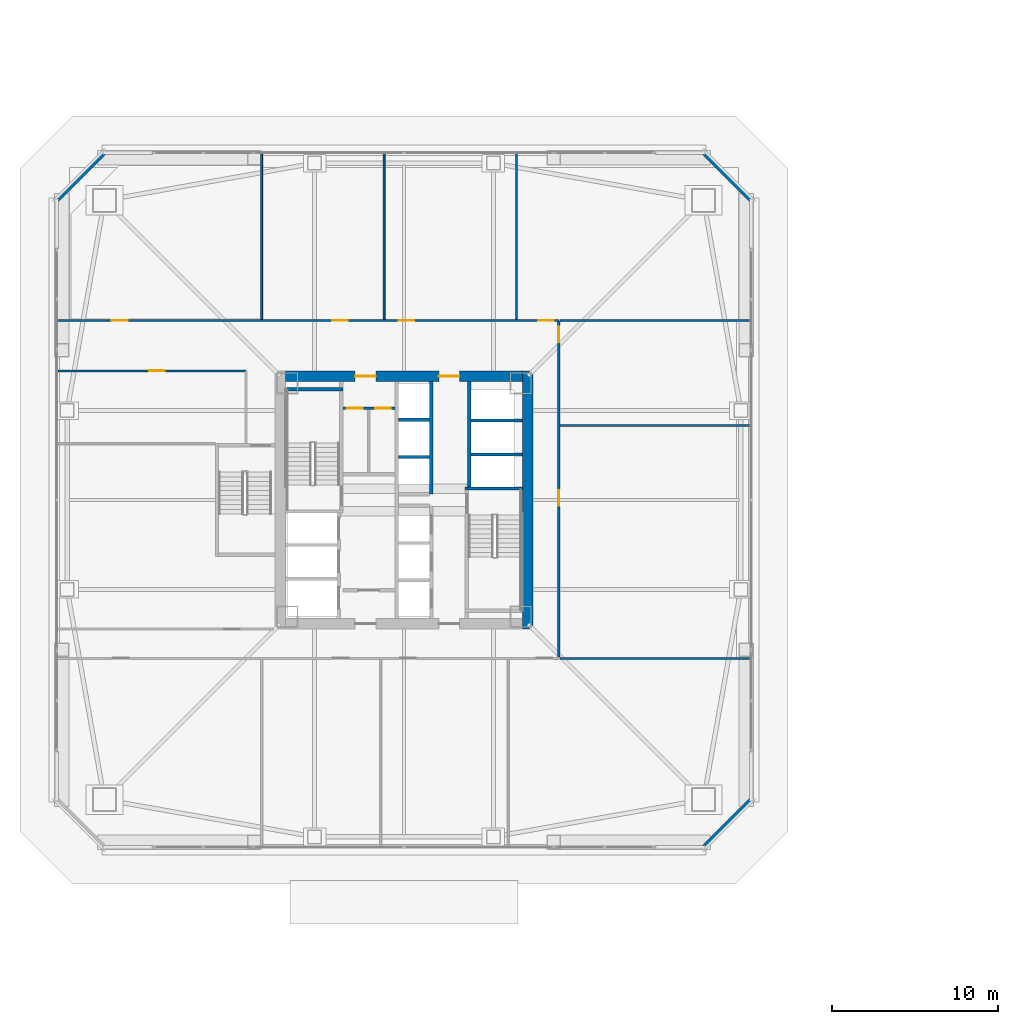
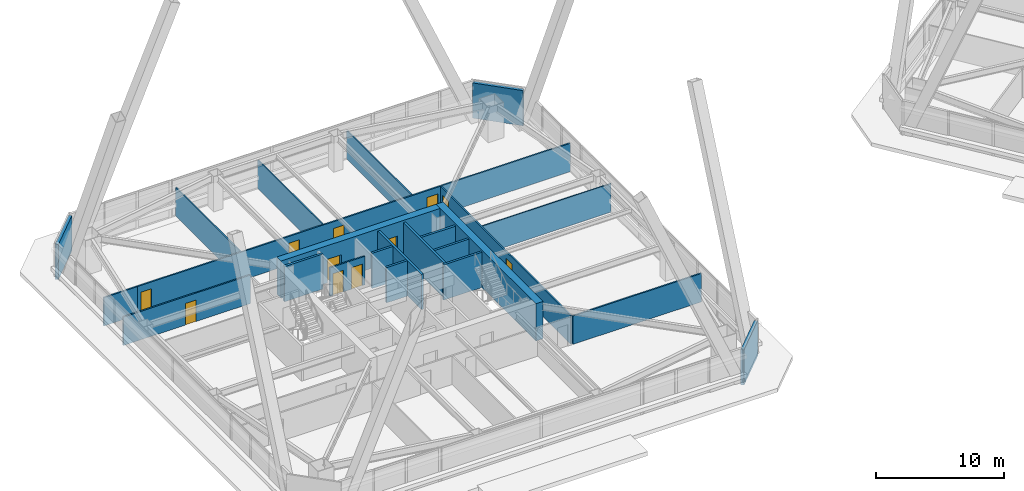
# One storey, part 57 of 67: 24 walls, 11 doors, 11 openings.
"""IFC4 building model written with IfcOpenShell, lengths in metres."""

from ifc_helpers import new_model, si_unit, direction, frame, frame_2d, origin, place, context, subcontext, project, spatial, rectangle, extrude, material, layer, layer_set, type_object, element, fill, save


model = new_model("IFC4")

# Units and contexts
model_context = context("Model", 3, precision=1e-05, world=origin(), true_north=direction((0.0, 1.0)))
body_context = subcontext(model_context, "Body", "Model", "MODEL_VIEW")
ifc_project = project(units=[si_unit("LENGTHUNIT", "METRE"), si_unit("AREAUNIT", "SQUARE_METRE"), si_unit("VOLUMEUNIT", "CUBIC_METRE"), si_unit("PLANEANGLEUNIT", "RADIAN"), si_unit("MASSUNIT", "GRAM", prefix="KILO")], contexts=[model_context])

# Site, building, storey
site_placement = place(None, origin())
site = spatial("IfcSite", under=ifc_project, at=site_placement, CompositionType="ELEMENT")
building_placement = place(site_placement, origin())
building = spatial("IfcBuilding", under=site, at=building_placement, Name="Tashvorn Skyway Center", CompositionType="ELEMENT")
storey_placement = place(building_placement, frame((0.0, 0.0, 67.199951171875)))
storey = spatial("IfcBuildingStorey", under=building, at=storey_placement, Name="L17", CompositionType="ELEMENT", Elevation=67.199951171875)

# Wall
ifc_material_1 = material(Name="Concrete C60/75", Category="concrete")
ifc_layer_1 = layer(ifc_material_1, 0.64990234375)
ifc_layer_set_1 = layer_set([ifc_layer_1], Name="Concrete C60/75")
wall_type_1 = type_object("IfcWallType", Name="WALL-CORE-650", PredefinedType="SHEAR", material=ifc_layer_set_1)
wall_1_placement = place(storey_placement, frame((49.47509765625, 39.800048828125, 0.0), z_axis=(0.0, 0.0, 1.0), x_axis=(0.0, -1.0, 0.0)))
element("IfcWall", 1, at=wall_1_placement, inside=storey, type_object=wall_type_1, Name="Tower 1 L17 East Core Shear Wall", PredefinedType="SHEAR", context=body_context, shape_type="SweptSolid", body=[
    extrude(rectangle(XDim=15.60009765625, YDim=0.64990234375, at=frame_2d((7.800048828125, 0.0))), origin(), (0.0, 0.0, 1.0), 3.550048828125),
])

# Wall, openings, doors
wall_2_placement = place(storey_placement, frame((34.85009765625, 39.47509765625, 0.0), z_axis=(0.0, 0.0, 1.0), x_axis=(1.0, 0.0, 0.0)))
wall_2 = element("IfcWall", 2, at=wall_2_placement, inside=storey, type_object=wall_type_1, Name="Tower 1 L17 North Core Shear Wall", PredefinedType="SHEAR", context=body_context, shape_type="SweptSolid", body=[
    extrude(rectangle(XDim=14.2998046875, YDim=0.64990234375, at=frame_2d((7.14990234375, 0.0))), origin(), (0.0, 0.0, 1.0), 3.550048828125),
])
opening_1_placement = place(wall_2_placement, frame((4.199951171875, 0.0, 0.0)))
opening_1 = element("IfcOpeningElement", 3, at=opening_1_placement, cuts=wall_2, Name="Opening D-FFL-1250", PredefinedType="OPENING", context=body_context, shape_type="SweptSolid", body=[
    extrude(rectangle(XDim=1.25, YDim=2.25, at=frame_2d((0.625, 1.125))), frame((0.0, 0.3349609375, 0.0), z_axis=(0.0, -1.0, 0.0), x_axis=(1.0, 0.0, 0.0)), (0.0, 0.0, 1.0), 0.669921875),
])
opening_2_placement = place(wall_2_placement, frame((9.25, 0.0, 0.0)))
opening_2 = element("IfcOpeningElement", 4, at=opening_2_placement, cuts=wall_2, Name="Opening D-FFL-1250", PredefinedType="OPENING", context=body_context, shape_type="SweptSolid", body=[
    extrude(rectangle(XDim=1.25, YDim=2.25, at=frame_2d((0.625, 1.125))), frame((0.0, 0.3349609375, 0.0), z_axis=(0.0, -1.0, 0.0), x_axis=(1.0, 0.0, 0.0)), (0.0, 0.0, 1.0), 0.669921875),
])
ifc_material_2 = material(Name="Hollow galvanized steel fire door assembly", Category="steel")
door_type_1 = type_object("IfcDoorType", Name="DOOR-FFL-1250", OperationType="NOTDEFINED", PredefinedType="DOOR", material=ifc_material_2)
door_1_placement = place(opening_1_placement, origin())
door_1 = element("IfcDoor", 5, at=door_1_placement, inside=storey, type_object=door_type_1, Name="Tower 1 L17 Core North Service Lobby Door", OperationType="SINGLE_SWING_LEFT", OverallHeight=2.25, OverallWidth=1.25, PredefinedType="DOOR", context=body_context, shape_type="SweptSolid", body=[
    extrude(rectangle(XDim=1.25, YDim=2.25, at=frame_2d((0.625, 1.125))), frame((0.0, 0.02490234375, 0.0), z_axis=(0.0, -1.0, 0.0), x_axis=(1.0, 0.0, 0.0)), (0.0, 0.0, 1.0), 0.050048828125),
])
fill(opening_1, door_1)
door_2_placement = place(opening_2_placement, origin())
door_2 = element("IfcDoor", 6, at=door_2_placement, inside=storey, type_object=door_type_1, Name="Tower 1 L17 Core North Lift Lobby Door", OperationType="SINGLE_SWING_RIGHT", OverallHeight=2.25, OverallWidth=1.25, PredefinedType="DOOR", context=body_context, shape_type="SweptSolid", body=[
    extrude(rectangle(XDim=1.25, YDim=2.25, at=frame_2d((0.625, 1.125))), frame((0.0, 0.02490234375, 0.0), z_axis=(0.0, -1.0, 0.0), x_axis=(1.0, 0.0, 0.0)), (0.0, 0.0, 1.0), 0.050048828125),
])
fill(opening_2, door_2)

# Walls
ifc_material_3 = material(Name="Precast concrete C40/50", Category="concrete")
ifc_layer_2 = layer(ifc_material_3, 0.280029296875)
ifc_layer_set_2 = layer_set([ifc_layer_2], Name="Precast concrete C40/50")
wall_type_2 = type_object("IfcWallType", Name="WALL-EXT-280", PredefinedType="SOLIDWALL", material=ifc_layer_set_2)
for number, where, z_axis, x_axis, name in (
    (7, (21.0, 50.10009765625, 0.0), (0.0, 0.0, 1.0), (0.707106781187, 0.707106781187, 0.0), "Tower 1 L17 NW Precast Chamfer Wall"),
    (8, (60.10009765625, 53.0, 0.0), (0.0, 0.0, 1.0), (0.707106781187, -0.707106781187, 0.0), "Tower 1 L17 NE Precast Chamfer Wall"),
    (9, (63.0, 13.89990234375, 0.0), (0.0, 0.0, 1.0), (-0.707106781187, -0.707106781187, 0.0), "Tower 1 L17 SE Precast Chamfer Wall"),
):
    element("IfcWall", number, at=place(storey_placement, frame(where, z_axis=z_axis, x_axis=x_axis)), inside=storey, type_object=wall_type_2, Name=name, PredefinedType="SOLIDWALL", context=body_context, shape_type="SweptSolid", body=[
        extrude(rectangle(XDim=4.10107421875, YDim=0.280029296875, at=frame_2d((2.050537109375, 0.0))), origin(), (0.0, 0.0, 1.0), 3.35009765625),
    ])
ifc_material_4 = material(Name="Gypsum board on cold-formed steel stud framing", Category="steel")
ifc_layer_3 = layer(ifc_material_4, 0.110107421875)
ifc_layer_set_3 = layer_set([ifc_layer_3], Name="Gypsum board on cold-formed steel stud framing")
wall_type_3 = type_object("IfcWallType", Name="WALL-PART-110", PredefinedType="PARTITIONING", material=ifc_layer_set_3)
for number, where, z_axis, x_axis, name in (
    (10, (33.39990234375, 42.929931640625, 0.0), (0.0, 0.0, 1.0), (0.0, 1.0, 0.0), "Tower 1 L17 North Suite Partition 1"),
    (11, (40.800048828125, 42.929931640625, 0.0), (0.0, 0.0, 1.0), (0.0, 1.0, 0.0), "Tower 1 L17 North Suite Partition 2"),
    (12, (48.800048828125, 42.929931640625, 0.0), (0.0, 0.0, 1.0), (0.0, 1.0, 0.0), "Tower 1 L17 North Suite Partition 3"),
):
    element("IfcWall", number, at=place(storey_placement, frame(where, z_axis=z_axis, x_axis=x_axis)), inside=storey, type_object=wall_type_3, Name=name, PredefinedType="PARTITIONING", context=body_context, shape_type="SweptSolid", body=[
        extrude(rectangle(XDim=10.050048828125, YDim=0.110107421875, at=frame_2d((5.02490234375, 0.0))), origin(), (0.0, 0.0, 1.0), 2.703125),
    ])
wall_3_placement = place(storey_placement, frame((51.429931640625, 36.5, 0.0), z_axis=(0.0, 0.0, 1.0), x_axis=(1.0, 0.0, 0.0)))
element("IfcWall", 13, at=wall_3_placement, inside=storey, type_object=wall_type_3, Name="Tower 1 L17 East Suite Partition 1", PredefinedType="PARTITIONING", context=body_context, shape_type="SweptSolid", body=[
    extrude(rectangle(XDim=11.550048828125, YDim=0.110107421875, at=frame_2d((5.77490234375, 0.0))), origin(), (0.0, 0.0, 1.0), 2.703125),
])

# Wall, openings, doors
ifc_layer_4 = layer(ifc_material_4, 0.135009765625)
ifc_layer_set_4 = layer_set([ifc_layer_4], Name="Gypsum board on cold-formed steel stud framing")
wall_type_4 = type_object("IfcWallType", Name="WALL-PART-135", PredefinedType="PARTITIONING", material=ifc_layer_set_4)
wall_4_placement = place(storey_placement, frame((24.050048828125, 42.85009765625, 0.0), z_axis=(0.0, 0.0, 1.0), x_axis=(1.0, 0.0, 0.0)))
wall_4 = element("IfcWall", 14, at=wall_4_placement, inside=storey, type_object=wall_type_4, Name="Tower 1 L17 North Suite Wall", PredefinedType="PARTITIONING", context=body_context, shape_type="SweptSolid", body=[
    extrude(rectangle(XDim=27.300048828125, YDim=0.135009765625, at=frame_2d((13.64990234375, 0.0))), origin(), (0.0, 0.0, 1.0), 2.703125),
])
opening_3_placement = place(wall_4_placement, frame((0.300048828125, 0.0, 0.0)))
opening_3 = element("IfcOpeningElement", 15, at=opening_3_placement, cuts=wall_4, Name="Opening D-INT-950", PredefinedType="OPENING", context=body_context, shape_type="SweptSolid", body=[
    extrude(rectangle(XDim=0.949951171875, YDim=2.050048828125, at=frame_2d((0.47509765625, 1.02490234375))), frame((0.0, 0.077392578125, 0.0), z_axis=(0.0, -1.0, 0.0), x_axis=(1.0, 0.0, 0.0)), (0.0, 0.0, 1.0), 0.155029296875),
])
opening_4_placement = place(wall_4_placement, frame((13.609619140625, 0.0, 0.0)))
opening_4 = element("IfcOpeningElement", 16, at=opening_4_placement, cuts=wall_4, Name="Opening D-INT-950", PredefinedType="OPENING", context=body_context, shape_type="SweptSolid", body=[
    extrude(rectangle(XDim=0.949951171875, YDim=2.050048828125, at=frame_2d((0.47509765625, 1.02490234375))), frame((0.0, 0.077392578125, 0.0), z_axis=(0.0, -1.0, 0.0), x_axis=(1.0, 0.0, 0.0)), (0.0, 0.0, 1.0), 0.155029296875),
])
opening_5_placement = place(wall_4_placement, frame((17.63330078125, 0.0, 0.0)))
opening_5 = element("IfcOpeningElement", 17, at=opening_5_placement, cuts=wall_4, Name="Opening D-INT-950", PredefinedType="OPENING", context=body_context, shape_type="SweptSolid", body=[
    extrude(rectangle(XDim=0.949951171875, YDim=2.050048828125, at=frame_2d((0.47509765625, 1.02490234375))), frame((0.0, 0.077392578125, 0.0), z_axis=(0.0, -1.0, 0.0), x_axis=(1.0, 0.0, 0.0)), (0.0, 0.0, 1.0), 0.155029296875),
])
opening_6_placement = place(wall_4_placement, frame((26.050048828125, 0.0, 0.0)))
opening_6 = element("IfcOpeningElement", 18, at=opening_6_placement, cuts=wall_4, Name="Opening D-INT-950", PredefinedType="OPENING", context=body_context, shape_type="SweptSolid", body=[
    extrude(rectangle(XDim=0.949951171875, YDim=2.050048828125, at=frame_2d((0.47509765625, 1.02490234375))), frame((0.0, 0.077392578125, 0.0), z_axis=(0.0, -1.0, 0.0), x_axis=(1.0, 0.0, 0.0)), (0.0, 0.0, 1.0), 0.155029296875),
])
ifc_material_5 = material(Name="Solid-core architectural oak veneer door")
door_type_2 = type_object("IfcDoorType", Name="DOOR-INT-950", OperationType="NOTDEFINED", PredefinedType="DOOR", material=ifc_material_5)
door_3_placement = place(opening_3_placement, origin())
door_3 = element("IfcDoor", 19, at=door_3_placement, inside=storey, type_object=door_type_2, Name="Tower 1 L17 Conference Room Door", OperationType="SINGLE_SWING_RIGHT", OverallHeight=2.050048828125, OverallWidth=0.949951171875, PredefinedType="DOOR", context=body_context, shape_type="SweptSolid", body=[
    extrude(rectangle(XDim=0.949951171875, YDim=2.050048828125, at=frame_2d((0.47509765625, 1.02490234375))), frame((0.0, 0.02490234375, 0.0), z_axis=(0.0, -1.0, 0.0), x_axis=(1.0, 0.0, 0.0)), (0.0, 0.0, 1.0), 0.050048828125),
])
fill(opening_3, door_3)
door_4_placement = place(opening_4_placement, origin())
door_4 = element("IfcDoor", 20, at=door_4_placement, inside=storey, type_object=door_type_2, Name="Tower 1 L17 Conference Room Door", OperationType="SINGLE_SWING_LEFT", OverallHeight=2.050048828125, OverallWidth=0.949951171875, PredefinedType="DOOR", context=body_context, shape_type="SweptSolid", body=[
    extrude(rectangle(XDim=0.949951171875, YDim=2.050048828125, at=frame_2d((0.47509765625, 1.02490234375))), frame((0.0, 0.02490234375, 0.0), z_axis=(0.0, -1.0, 0.0), x_axis=(1.0, 0.0, 0.0)), (0.0, 0.0, 1.0), 0.050048828125),
])
fill(opening_4, door_4)
door_5_placement = place(opening_5_placement, origin())
door_5 = element("IfcDoor", 21, at=door_5_placement, inside=storey, type_object=door_type_2, Name="Tower 1 L17 Boardroom Door", OperationType="SINGLE_SWING_RIGHT", OverallHeight=2.050048828125, OverallWidth=0.949951171875, PredefinedType="DOOR", context=body_context, shape_type="SweptSolid", body=[
    extrude(rectangle(XDim=0.949951171875, YDim=2.050048828125, at=frame_2d((0.47509765625, 1.02490234375))), frame((0.0, 0.02490234375, 0.0), z_axis=(0.0, -1.0, 0.0), x_axis=(1.0, 0.0, 0.0)), (0.0, 0.0, 1.0), 0.050048828125),
])
fill(opening_5, door_5)
door_6_placement = place(opening_6_placement, origin())
door_6 = element("IfcDoor", 22, at=door_6_placement, inside=storey, type_object=door_type_2, Name="Tower 1 L17 Gallery Showroom Door", OperationType="SINGLE_SWING_LEFT", OverallHeight=2.050048828125, OverallWidth=0.949951171875, PredefinedType="DOOR", context=body_context, shape_type="SweptSolid", body=[
    extrude(rectangle(XDim=0.949951171875, YDim=2.050048828125, at=frame_2d((0.47509765625, 1.02490234375))), frame((0.0, 0.02490234375, 0.0), z_axis=(0.0, -1.0, 0.0), x_axis=(1.0, 0.0, 0.0)), (0.0, 0.0, 1.0), 0.050048828125),
])
fill(opening_6, door_6)

# Wall
wall_5_placement = place(storey_placement, frame((21.02001953125, 42.85009765625, 0.0), z_axis=(0.0, 0.0, 1.0), x_axis=(1.0, 0.0, 0.0)))
element("IfcWall", 23, at=wall_5_placement, inside=storey, type_object=wall_type_4, Name="Tower 1 L17 North-West Suite South Wall", PredefinedType="PARTITIONING", context=body_context, shape_type="SweptSolid", body=[
    extrude(rectangle(XDim=3.030029296875, YDim=0.135009765625, at=frame_2d((1.51513671875, 0.0))), origin(), (0.0, 0.0, 1.0), 2.703125),
])

# Wall, openings, doors
wall_6_placement = place(storey_placement, frame((51.35009765625, 42.77001953125, 0.0), z_axis=(0.0, 0.0, 1.0), x_axis=(0.0, -1.0, 0.0)))
wall_6 = element("IfcWall", 24, at=wall_6_placement, inside=storey, type_object=wall_type_4, Name="Tower 1 L17 East Inner Suite Wall", PredefinedType="PARTITIONING", context=body_context, shape_type="SweptSolid", body=[
    extrude(rectangle(XDim=20.260009765625, YDim=0.135009765625, at=frame_2d((10.1298828125, 0.0))), origin(), (0.0, 0.0, 1.0), 2.703125),
])
opening_7_placement = place(wall_6_placement, frame((10.181396484375, 0.0, 0.0)))
opening_7 = element("IfcOpeningElement", 25, at=opening_7_placement, cuts=wall_6, Name="Opening D-INT-950", PredefinedType="OPENING", context=body_context, shape_type="SweptSolid", body=[
    extrude(rectangle(XDim=0.949951171875, YDim=2.050048828125, at=frame_2d((0.47509765625, 1.02490234375))), frame((0.0, 0.077392578125, 0.0), z_axis=(0.0, -1.0, 0.0), x_axis=(1.0, 0.0, 0.0)), (0.0, 0.0, 1.0), 0.155029296875),
])
opening_8_placement = place(wall_6_placement, frame((0.300048828125, 0.0, 0.0)))
opening_8 = element("IfcOpeningElement", 26, at=opening_8_placement, cuts=wall_6, Name="Opening D-INT-950", PredefinedType="OPENING", context=body_context, shape_type="SweptSolid", body=[
    extrude(rectangle(XDim=0.949951171875, YDim=2.050048828125, at=frame_2d((0.47509765625, 1.02490234375))), frame((0.0, 0.077392578125, 0.0), z_axis=(0.0, -1.0, 0.0), x_axis=(1.0, 0.0, 0.0)), (0.0, 0.0, 1.0), 0.155029296875),
])
door_7_placement = place(opening_7_placement, origin())
door_7 = element("IfcDoor", 27, at=door_7_placement, inside=storey, type_object=door_type_2, Name="Tower 1 L17 Gallery Showroom Door", OperationType="SINGLE_SWING_RIGHT", OverallHeight=2.050048828125, OverallWidth=0.949951171875, PredefinedType="DOOR", context=body_context, shape_type="SweptSolid", body=[
    extrude(rectangle(XDim=0.949951171875, YDim=2.050048828125, at=frame_2d((0.47509765625, 1.02490234375))), frame((0.0, 0.02490234375, 0.0), z_axis=(0.0, -1.0, 0.0), x_axis=(1.0, 0.0, 0.0)), (0.0, 0.0, 1.0), 0.050048828125),
])
fill(opening_7, door_7)
door_8_placement = place(opening_8_placement, origin())
door_8 = element("IfcDoor", 28, at=door_8_placement, inside=storey, type_object=door_type_2, Name="Tower 1 L17 Public Restroom Door", OperationType="SINGLE_SWING_LEFT", OverallHeight=2.050048828125, OverallWidth=0.949951171875, PredefinedType="DOOR", context=body_context, shape_type="SweptSolid", body=[
    extrude(rectangle(XDim=0.949951171875, YDim=2.050048828125, at=frame_2d((0.47509765625, 1.02490234375))), frame((0.0, 0.02490234375, 0.0), z_axis=(0.0, -1.0, 0.0), x_axis=(1.0, 0.0, 0.0)), (0.0, 0.0, 1.0), 0.050048828125),
])
fill(opening_8, door_8)

# Walls
for number, where, z_axis, x_axis, name in (
    (29, (62.97998046875, 42.85009765625, 0.0), (0.0, 0.0, 1.0), (-1.0, 0.0, 0.0), "Tower 1 L17 East Suite North Wall"),
    (30, (51.429931640625, 22.429931640625, 0.0), (0.0, 0.0, 1.0), (1.0, 0.0, 0.0), "Tower 1 L17 East Suite South Wall"),
):
    element("IfcWall", number, at=place(storey_placement, frame(where, z_axis=z_axis, x_axis=x_axis)), inside=storey, type_object=wall_type_4, Name=name, PredefinedType="PARTITIONING", context=body_context, shape_type="SweptSolid", body=[
        extrude(rectangle(XDim=11.550048828125, YDim=0.135009765625, at=frame_2d((5.77490234375, 0.0))), origin(), (0.0, 0.0, 1.0), 2.703125),
    ])

# Wall, opening, door
wall_7_placement = place(storey_placement, frame((32.449951171875, 39.800048828125, 0.0), z_axis=(0.0, 0.0, 1.0), x_axis=(-1.0, 0.0, 0.0)))
wall_7 = element("IfcWall", 31, at=wall_7_placement, inside=storey, type_object=wall_type_4, Name="Tower 1 L17 West Suite North Wall", PredefinedType="PARTITIONING", context=body_context, shape_type="SweptSolid", body=[
    extrude(rectangle(XDim=11.429931640625, YDim=0.135009765625, at=frame_2d((5.71484375, 0.0))), origin(), (0.0, 0.0, 1.0), 2.703125),
])
opening_9_placement = place(wall_7_placement, frame((4.889892578125, 0.0, 0.0)))
opening_9 = element("IfcOpeningElement", 32, at=opening_9_placement, cuts=wall_7, Name="Opening D-INT-950", PredefinedType="OPENING", context=body_context, shape_type="SweptSolid", body=[
    extrude(rectangle(XDim=0.949951171875, YDim=2.050048828125, at=frame_2d((0.47509765625, 1.02490234375))), frame((0.0, 0.077392578125, 0.0), z_axis=(0.0, -1.0, 0.0), x_axis=(1.0, 0.0, 0.0)), (0.0, 0.0, 1.0), 0.155029296875),
])
door_9_placement = place(opening_9_placement, origin())
door_9 = element("IfcDoor", 33, at=door_9_placement, inside=storey, type_object=door_type_2, Name="Tower 1 L17 Catering Pantry Door", OperationType="SINGLE_SWING_RIGHT", OverallHeight=2.050048828125, OverallWidth=0.949951171875, PredefinedType="DOOR", context=body_context, shape_type="SweptSolid", body=[
    extrude(rectangle(XDim=0.949951171875, YDim=2.050048828125, at=frame_2d((0.47509765625, 1.02490234375))), frame((0.0, 0.02490234375, 0.0), z_axis=(0.0, -1.0, 0.0), x_axis=(1.0, 0.0, 0.0)), (0.0, 0.0, 1.0), 0.050048828125),
])
fill(opening_9, door_9)

# Wall, openings, doors
ifc_layer_5 = layer(ifc_material_4, 0.135009765625)
ifc_layer_set_5 = layer_set([ifc_layer_5], Name="Gypsum board on cold-formed steel stud framing")
wall_type_5 = type_object("IfcWallType", Name="WALL-RATED-135", PredefinedType="PARTITIONING", material=ifc_layer_set_5)
wall_8_placement = place(storey_placement, frame((38.300048828125, 37.550048828125, 0.0), z_axis=(0.0, 0.0, 1.0), x_axis=(1.0, 0.0, 0.0)))
wall_8 = element("IfcWall", 34, at=wall_8_placement, inside=storey, type_object=wall_type_5, Name="Tower 1 L17 Core Service Lobby Wall", PredefinedType="PARTITIONING", context=body_context, shape_type="SweptSolid", body=[
    extrude(rectangle(XDim=3.14990234375, YDim=0.135009765625, at=frame_2d((1.574951171875, 0.0))), origin(), (0.0, 0.0, 1.0), 2.703125),
])
opening_10_placement = place(wall_8_placement, frame((0.25, 0.0, 0.0)))
opening_10 = element("IfcOpeningElement", 35, at=opening_10_placement, cuts=wall_8, Name="Opening D-RT-950", PredefinedType="OPENING", context=body_context, shape_type="SweptSolid", body=[
    extrude(rectangle(XDim=0.949951171875, YDim=2.050048828125, at=frame_2d((0.47509765625, 1.02490234375))), frame((0.0, 0.077392578125, 0.0), z_axis=(0.0, -1.0, 0.0), x_axis=(1.0, 0.0, 0.0)), (0.0, 0.0, 1.0), 0.155029296875),
])
opening_11_placement = place(wall_8_placement, frame((1.949951171875, 0.0, 0.0)))
opening_11 = element("IfcOpeningElement", 36, at=opening_11_placement, cuts=wall_8, Name="Opening D-RT-950", PredefinedType="OPENING", context=body_context, shape_type="SweptSolid", body=[
    extrude(rectangle(XDim=0.949951171875, YDim=2.050048828125, at=frame_2d((0.47509765625, 1.02490234375))), frame((0.0, 0.077392578125, 0.0), z_axis=(0.0, -1.0, 0.0), x_axis=(1.0, 0.0, 0.0)), (0.0, 0.0, 1.0), 0.155029296875),
])
door_type_3 = type_object("IfcDoorType", Name="DOOR-RATED-950", OperationType="NOTDEFINED", PredefinedType="DOOR", material=ifc_material_2)
door_10_placement = place(opening_10_placement, origin())
door_10 = element("IfcDoor", 37, at=door_10_placement, inside=storey, type_object=door_type_3, Name="Tower 1 L17 Core Accessible WC Door", OperationType="SINGLE_SWING_LEFT", OverallHeight=2.050048828125, OverallWidth=0.949951171875, PredefinedType="DOOR", context=body_context, shape_type="SweptSolid", body=[
    extrude(rectangle(XDim=0.949951171875, YDim=2.050048828125, at=frame_2d((0.47509765625, 1.02490234375))), frame((0.0, 0.02490234375, 0.0), z_axis=(0.0, -1.0, 0.0), x_axis=(1.0, 0.0, 0.0)), (0.0, 0.0, 1.0), 0.050048828125),
])
fill(opening_10, door_10)
door_11_placement = place(opening_11_placement, origin())
door_11 = element("IfcDoor", 38, at=door_11_placement, inside=storey, type_object=door_type_3, Name="Tower 1 L17 Core Cleaner Store Door", OperationType="SINGLE_SWING_RIGHT", OverallHeight=2.050048828125, OverallWidth=0.949951171875, PredefinedType="DOOR", context=body_context, shape_type="SweptSolid", body=[
    extrude(rectangle(XDim=0.949951171875, YDim=2.050048828125, at=frame_2d((0.47509765625, 1.02490234375))), frame((0.0, 0.02490234375, 0.0), z_axis=(0.0, -1.0, 0.0), x_axis=(1.0, 0.0, 0.0)), (0.0, 0.0, 1.0), 0.050048828125),
])
fill(opening_11, door_11)

# Walls
ifc_material_6 = material(Name="Concrete C40/50", Category="concrete")
ifc_layer_6 = layer(ifc_material_6, 0.199951171875)
ifc_layer_set_6 = layer_set([ifc_layer_6], Name="Concrete C40/50")
wall_type_6 = type_object("IfcWallType", Name="WALL-SHAFT-200", PredefinedType="SOLIDWALL", material=ifc_layer_set_6)
for number, where, z_axis, x_axis, name in (
    (39, (46.050048828125, 34.75, 0.0), (0.0, 0.0, 1.0), (1.0, 0.0, 0.0), "Tower 1 L17 High-Rise Shaft Divider"),
    (40, (46.050048828125, 36.800048828125, 0.0), (0.0, 0.0, 1.0), (1.0, 0.0, 0.0), "Tower 1 L17 High-Rise Shaft Divider"),
):
    element("IfcWall", number, at=place(storey_placement, frame(where, z_axis=z_axis, x_axis=x_axis)), inside=storey, type_object=wall_type_6, Name=name, PredefinedType="SOLIDWALL", context=body_context, shape_type="SweptSolid", body=[
        extrude(rectangle(XDim=3.099853515625, YDim=0.199951171875, at=frame_2d((1.5498046875, 0.0))), origin(), (0.0, 0.0, 1.0), 3.35009765625),
    ])
wall_9_placement = place(storey_placement, frame((43.64990234375, 32.35009765625, 0.0), z_axis=(0.0, 0.0, 1.0), x_axis=(0.0, 1.0, 0.0)))
element("IfcWall", 41, at=wall_9_placement, inside=storey, type_object=wall_type_6, Name="Tower 1 L17 Mid-Rise Core Wall", PredefinedType="SOLIDWALL", context=body_context, shape_type="SweptSolid", body=[
    extrude(rectangle(XDim=6.7998046875, YDim=0.199951171875, at=frame_2d((3.39990234375, 0.0))), origin(), (0.0, 0.0, 1.0), 3.35009765625),
])
for number, where, z_axis, x_axis, name in (
    (42, (41.669921875, 34.60009765625, 0.0), (0.0, 0.0, 1.0), (1.0, 0.0, 0.0), "Tower 1 L17 Mid-Rise Shaft Divider"),
    (43, (41.669921875, 36.85009765625, 0.0), (0.0, 0.0, 1.0), (1.0, 0.0, 0.0), "Tower 1 L17 Mid-Rise Shaft Divider"),
):
    element("IfcWall", number, at=place(storey_placement, frame(where, z_axis=z_axis, x_axis=x_axis)), inside=storey, type_object=wall_type_6, Name=name, PredefinedType="SOLIDWALL", context=body_context, shape_type="SweptSolid", body=[
        extrude(rectangle(XDim=1.880126953125, YDim=0.199951171875, at=frame_2d((0.93994140625, 0.0))), origin(), (0.0, 0.0, 1.0), 3.35009765625),
    ])
ifc_layer_7 = layer(ifc_material_6, 0.199951171875)
ifc_layer_set_7 = layer_set([ifc_layer_7], Name="Concrete C40/50")
wall_type_7 = type_object("IfcWallType", Name="WALL-STSHF-200", PredefinedType="SHEAR", material=ifc_layer_set_7)
for number, where, z_axis, x_axis, name in (
    (44, (34.85009765625, 38.699951171875, 0.0), (0.0, 0.0, 1.0), (1.0, 0.0, 0.0), "Tower 1 L17 Stair 1 North Wall"),
    (45, (45.699951171875, 32.699951171875, 0.0), (0.0, 0.0, 1.0), (1.0, 0.0, 0.0), "Tower 1 L17 Stair 2 North Wall"),
):
    element("IfcWall", number, at=place(storey_placement, frame(where, z_axis=z_axis, x_axis=x_axis)), inside=storey, type_object=wall_type_7, Name=name, PredefinedType="SHEAR", context=body_context, shape_type="SweptSolid", body=[
        extrude(rectangle(XDim=3.449951171875, YDim=0.199951171875, at=frame_2d((1.72509765625, 0.0))), origin(), (0.0, 0.0, 1.0), 3.35009765625),
    ])
wall_10_placement = place(storey_placement, frame((45.949951171875, 39.14990234375, 0.0), z_axis=(0.0, 0.0, 1.0), x_axis=(0.0, -1.0, 0.0)))
element("IfcWall", 46, at=wall_10_placement, inside=storey, type_object=wall_type_7, Name="Tower 1 L17 High-Rise Lift Shaft Front Wall", PredefinedType="SHEAR", context=body_context, shape_type="SweptSolid", body=[
    extrude(rectangle(XDim=6.349853515625, YDim=0.199951171875, at=frame_2d((3.1748046875, 0.0))), origin(), (0.0, 0.0, 1.0), 3.35009765625),
])

save(model, "model.ifc")
